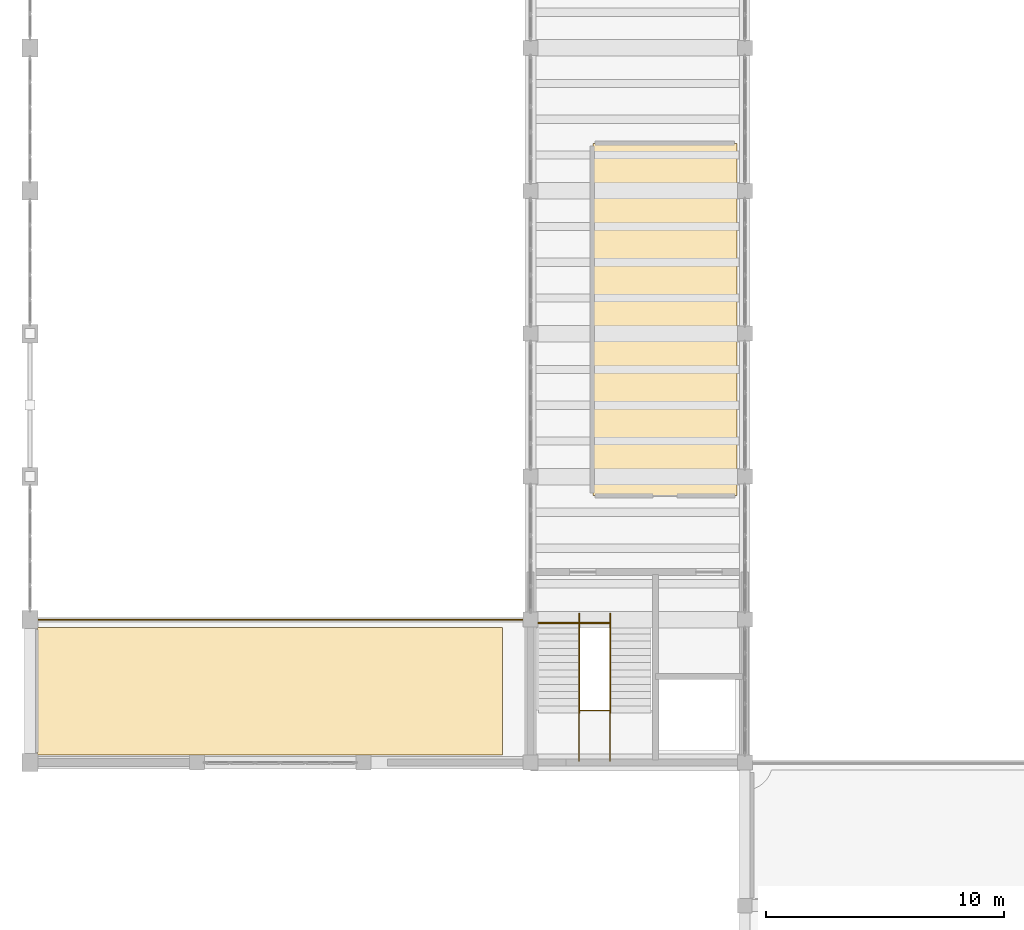
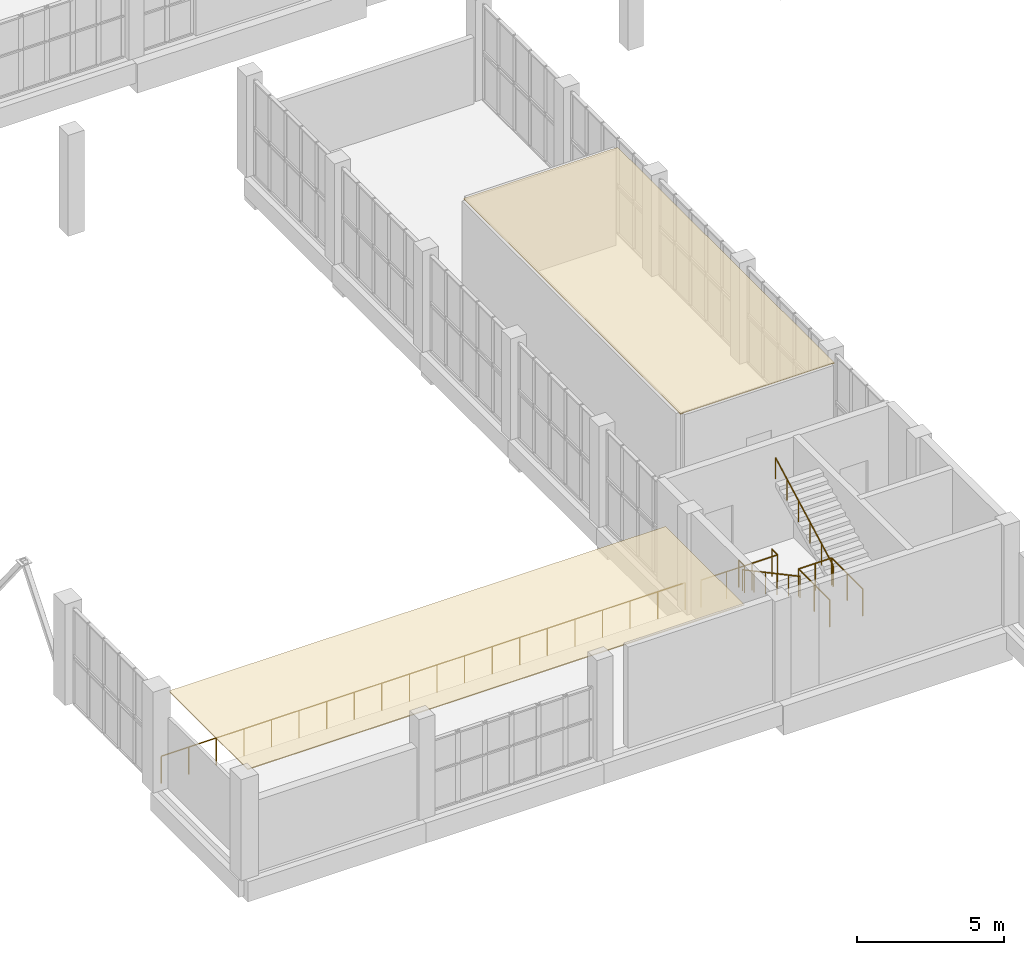
# One storey, part 76 of 85: 6 railings, 2 coverings.
"""IFC4 building model written with IfcOpenShell, lengths in metres."""

from ifc_helpers import new_model, si_unit, direction, frame, origin, origin_2d, place, context, subcontext, project, spatial, polyline, circle, outline, extrude, material, layer, layer_set, type_object, element, save


model = new_model("IFC4")

# Units and contexts
model_context = context("Model", 3, precision=1e-05, world=origin(), true_north=direction((0.0, 1.0)))
body_context = subcontext(model_context, "Body", "Model", "MODEL_VIEW")
ifc_project = project(units=[si_unit("LENGTHUNIT", "METRE"), si_unit("AREAUNIT", "SQUARE_METRE"), si_unit("VOLUMEUNIT", "CUBIC_METRE"), si_unit("PLANEANGLEUNIT", "RADIAN"), si_unit("MASSUNIT", "GRAM", prefix="KILO")], contexts=[model_context])

# Site, building, storey
site_placement = place(None, origin())
site = spatial("IfcSite", under=ifc_project, at=site_placement, CompositionType="ELEMENT")
building_placement = place(site_placement, origin())
building = spatial("IfcBuilding", under=site, at=building_placement, Name="Solvane Community Centre", CompositionType="ELEMENT")
storey_placement = place(building_placement, frame((0.0, 0.0, 5.39990234375)))
storey = spatial("IfcBuildingStorey", under=building, at=storey_placement, Name="L01", CompositionType="ELEMENT", Elevation=5.39990234375)

# Coverings
ifc_material_1 = material(Name="Acoustic timber slat ceiling", Category="wood")
ifc_layer = layer(ifc_material_1, 0.0400390625)
ifc_layer_set = layer_set([ifc_layer], Name="Acoustic timber slat ceiling")
covering_type = type_object("IfcCoveringType", Name="Acoustic Timber Slat Suspended Ceiling", PredefinedType="CEILING", material=ifc_layer_set)
covering_1_placement = place(storey_placement, frame((0.0, 0.0, 3.955078125)))
element("IfcCovering", 1, at=covering_1_placement, inside=storey, type_object=covering_type, Name="Acoustic Ceiling L01-01", PredefinedType="CEILING", context=body_context, shape_type="SweptSolid", body=[
    extrude(outline(polyline([(6.320068359375, 42.320068359375), (6.320068359375, 47.679931640625), (25.840087890625, 47.679931640625), (25.840087890625, 42.320068359375), (6.320068359375, 42.320068359375)])), origin(), (0.0, 0.0, 1.0), 0.0400390625),
])
covering_2_placement = place(storey_placement, frame((0.0, 0.0, 3.955078125)))
element("IfcCovering", 2, at=covering_2_placement, inside=storey, type_object=covering_type, Name="Acoustic Ceiling L01-03", PredefinedType="CEILING", context=body_context, shape_type="SweptSolid", body=[
    extrude(outline(polyline([(29.6201171875, 53.219970703125), (29.6201171875, 67.97998046875), (35.679931640625, 67.97998046875), (35.679931640625, 53.219970703125), (29.6201171875, 53.219970703125)])), origin(), (0.0, 0.0, 1.0), 0.0400390625),
])

# Railings
ifc_material_2 = material(Name="Anodised bronze aluminium AW-6063 T6", Category="aluminium")
railing_type_1 = type_object("IfcRailingType", Name="Interior Gallery & Stair Well Guard 1150mm", PredefinedType="BALUSTRADE", material=ifc_material_2)
railing_1_placement = place(storey_placement, frame((29.050048828125, 42.06005859375, 2.10009765625)))
element("IfcRailing", 3, at=railing_1_placement, inside=storey, type_object=railing_type_1, Name="Railing GR-L01-082", PredefinedType="BALUSTRADE", context=body_context, shape_type="SweptSolid", body=[
    extrude(circle(Radius=0.02392578125, at=origin_2d()), frame((0.0, 0.0, 1.1259765625), z_axis=(0.0, 1.0, 0.0), x_axis=(-1.0, 0.0, 0.0)), (0.0, 0.0, 1.0), 2.119873046875),
    extrude(circle(Radius=0.02392578125, at=origin_2d()), frame((0.0, 2.119873046875, 1.1259765625), z_axis=(1.0, 0.0, 0.0), x_axis=(0.0, 1.0, 0.0)), (0.0, 0.0, 1.0), 1.300048828125),
    extrude(circle(Radius=0.02392578125, at=origin_2d()), frame((1.300048828125, 2.119873046875, 1.1259765625), z_axis=(0.0, -1.0, 0.0), x_axis=(1.0, 0.0, 0.0)), (0.0, 0.0, 1.0), 2.119873046875),
    extrude(circle(Radius=0.02099609375, at=origin_2d()), origin(), (0.0, 0.0, 1.0), 1.101806640625),
    extrude(circle(Radius=0.02099609375, at=origin_2d()), frame((0.0, 1.06005859375, 0.0)), (0.0, 0.0, 1.0), 1.101806640625),
    extrude(circle(Radius=0.02099609375, at=origin_2d()), frame((0.0, 2.119873046875, 0.0)), (0.0, 0.0, 1.0), 1.101806640625),
    extrude(circle(Radius=0.02099609375, at=origin_2d()), frame((0.64990234375, 2.119873046875, 0.0)), (0.0, 0.0, 1.0), 1.101806640625),
    extrude(circle(Radius=0.02099609375, at=origin_2d()), frame((1.300048828125, 2.119873046875, 0.0)), (0.0, 0.0, 1.0), 1.101806640625),
    extrude(circle(Radius=0.02099609375, at=origin_2d()), frame((1.300048828125, 1.06005859375, 0.0)), (0.0, 0.0, 1.0), 1.101806640625),
    extrude(circle(Radius=0.02099609375, at=origin_2d()), frame((1.300048828125, 0.0, 0.0)), (0.0, 0.0, 1.0), 1.101806640625),
])
railing_2_placement = place(storey_placement, frame((27.340087890625, 47.860107421875, 0.0)))
element("IfcRailing", 4, at=railing_2_placement, inside=storey, type_object=railing_type_1, Name="Railing GR-L01-083", PredefinedType="BALUSTRADE", context=body_context, shape_type="SweptSolid", body=[
    extrude(circle(Radius=0.02392578125, at=origin_2d()), frame((0.0, 0.0, 1.1259765625), z_axis=(1.0, 0.0, 0.0), x_axis=(0.0, 1.0, 0.0)), (0.0, 0.0, 1.0), 3.010009765625),
    extrude(circle(Radius=0.02392578125, at=origin_2d()), frame((3.010009765625, 0.0, 1.1259765625), z_axis=(0.0, 1.0, 0.0), x_axis=(-1.0, 0.0, 0.0)), (0.0, 0.0, 1.0), 0.389892578125),
    extrude(circle(Radius=0.02099609375, at=origin_2d()), origin(), (0.0, 0.0, 1.0), 1.101806640625),
    extrude(circle(Radius=0.02099609375, at=origin_2d()), frame((1.00341796875, 0.0, 0.0)), (0.0, 0.0, 1.0), 1.101806640625),
    extrude(circle(Radius=0.02099609375, at=origin_2d()), frame((2.006591796875, 0.0, 0.0)), (0.0, 0.0, 1.0), 1.101806640625),
    extrude(circle(Radius=0.02099609375, at=origin_2d()), frame((3.010009765625, 0.0, 0.0)), (0.0, 0.0, 1.0), 1.101806640625),
    extrude(circle(Radius=0.02099609375, at=origin_2d()), frame((3.010009765625, 0.389892578125, 0.0)), (0.0, 0.0, 1.0), 1.101806640625),
])
railing_3_placement = place(storey_placement, frame((29.050048828125, 48.25, 0.0)))
element("IfcRailing", 5, at=railing_3_placement, inside=storey, type_object=railing_type_1, Name="Railing GR-L01-084", PredefinedType="BALUSTRADE", context=body_context, shape_type="SweptSolid", body=[
    extrude(circle(Radius=0.02392578125, at=origin_2d()), frame((0.0, 0.0, 1.1259765625), z_axis=(0.0, -1.0, 0.0), x_axis=(1.0, 0.0, 0.0)), (0.0, 0.0, 1.0), 0.389892578125),
    extrude(circle(Radius=0.02099609375, at=origin_2d()), origin(), (0.0, 0.0, 1.0), 1.101806640625),
    extrude(circle(Radius=0.02099609375, at=origin_2d()), frame((0.0, -0.389892578125, 0.0)), (0.0, 0.0, 1.0), 1.101806640625),
])
railing_4_placement = place(storey_placement, frame((6.199951171875, 48.0, 0.0)))
element("IfcRailing", 6, at=railing_4_placement, inside=storey, type_object=railing_type_1, Name="Railing GR-L01-137", PredefinedType="BALUSTRADE", context=body_context, shape_type="SweptSolid", body=[
    extrude(circle(Radius=0.02392578125, at=origin_2d()), frame((0.0, 0.0, 1.1259765625), z_axis=(1.0, 0.0, 0.0), x_axis=(0.0, 1.0, 0.0)), (0.0, 0.0, 1.0), 20.60009765625),
    extrude(circle(Radius=0.02099609375, at=origin_2d()), origin(), (0.0, 0.0, 1.0), 1.101806640625),
    extrude(circle(Radius=0.02099609375, at=origin_2d()), frame((1.084228515625, 0.0, 0.0)), (0.0, 0.0, 1.0), 1.101806640625),
    extrude(circle(Radius=0.02099609375, at=origin_2d()), frame((2.16845703125, 0.0, 0.0)), (0.0, 0.0, 1.0), 1.101806640625),
    extrude(circle(Radius=0.02099609375, at=origin_2d()), frame((3.252685546875, 0.0, 0.0)), (0.0, 0.0, 1.0), 1.101806640625),
    extrude(circle(Radius=0.02099609375, at=origin_2d()), frame((4.3369140625, 0.0, 0.0)), (0.0, 0.0, 1.0), 1.101806640625),
    extrude(circle(Radius=0.02099609375, at=origin_2d()), frame((5.421142578125, 0.0, 0.0)), (0.0, 0.0, 1.0), 1.101806640625),
    extrude(circle(Radius=0.02099609375, at=origin_2d()), frame((6.50537109375, 0.0, 0.0)), (0.0, 0.0, 1.0), 1.101806640625),
    extrude(circle(Radius=0.02099609375, at=origin_2d()), frame((7.589599609375, 0.0, 0.0)), (0.0, 0.0, 1.0), 1.101806640625),
    extrude(circle(Radius=0.02099609375, at=origin_2d()), frame((8.673828125, 0.0, 0.0)), (0.0, 0.0, 1.0), 1.101806640625),
    extrude(circle(Radius=0.02099609375, at=origin_2d()), frame((9.758056640625, 0.0, 0.0)), (0.0, 0.0, 1.0), 1.101806640625),
    extrude(circle(Radius=0.02099609375, at=origin_2d()), frame((10.842041015625, 0.0, 0.0)), (0.0, 0.0, 1.0), 1.101806640625),
    extrude(circle(Radius=0.02099609375, at=origin_2d()), frame((11.92626953125, 0.0, 0.0)), (0.0, 0.0, 1.0), 1.101806640625),
    extrude(circle(Radius=0.02099609375, at=origin_2d()), frame((13.010498046875, 0.0, 0.0)), (0.0, 0.0, 1.0), 1.101806640625),
    extrude(circle(Radius=0.02099609375, at=origin_2d()), frame((14.0947265625, 0.0, 0.0)), (0.0, 0.0, 1.0), 1.101806640625),
    extrude(circle(Radius=0.02099609375, at=origin_2d()), frame((15.178955078125, 0.0, 0.0)), (0.0, 0.0, 1.0), 1.101806640625),
    extrude(circle(Radius=0.02099609375, at=origin_2d()), frame((16.26318359375, 0.0, 0.0)), (0.0, 0.0, 1.0), 1.101806640625),
    extrude(circle(Radius=0.02099609375, at=origin_2d()), frame((17.347412109375, 0.0, 0.0)), (0.0, 0.0, 1.0), 1.101806640625),
    extrude(circle(Radius=0.02099609375, at=origin_2d()), frame((18.431640625, 0.0, 0.0)), (0.0, 0.0, 1.0), 1.101806640625),
    extrude(circle(Radius=0.02099609375, at=origin_2d()), frame((19.515869140625, 0.0, 0.0)), (0.0, 0.0, 1.0), 1.101806640625),
    extrude(circle(Radius=0.02099609375, at=origin_2d()), frame((20.60009765625, 0.0, 0.0)), (0.0, 0.0, 1.0), 1.101806640625),
])
railing_type_2 = type_object("IfcRailingType", Name="Stair Pitch Handrail 900mm", PredefinedType="HANDRAIL", material=ifc_material_2)
railing_5_placement = place(storey_placement, frame((29.050048828125, 48.0, 0.0)))
element("IfcRailing", 7, at=railing_5_placement, inside=storey, type_object=railing_type_2, Name="Railing HR-L01-080", PredefinedType="HANDRAIL", context=body_context, shape_type="SweptSolid", body=[
    extrude(circle(Radius=0.02392578125, at=origin_2d()), frame((0.0, 0.0, 0.8759765625), z_axis=(0.0, -0.881466911329, 0.472245787945), x_axis=(1.0, 0.0, 0.0)), (0.0, 0.0, 1.0), 4.447021484375),
    extrude(circle(Radius=0.02099609375, at=origin_2d()), origin(), (0.0, 0.0, 1.0), 0.851806640625),
    extrude(circle(Radius=0.02099609375, at=origin_2d()), frame((0.0, -0.783935546875, 0.419921875)), (0.0, 0.0, 1.0), 0.851806640625),
    extrude(circle(Radius=0.02099609375, at=origin_2d()), frame((0.0, -1.56787109375, 0.840087890625)), (0.0, 0.0, 1.0), 0.851806640625),
    extrude(circle(Radius=0.02099609375, at=origin_2d()), frame((0.0, -2.35205078125, 1.260009765625)), (0.0, 0.0, 1.0), 0.851806640625),
    extrude(circle(Radius=0.02099609375, at=origin_2d()), frame((0.0, -3.135986328125, 1.68017578125)), (0.0, 0.0, 1.0), 0.851806640625),
    extrude(circle(Radius=0.02099609375, at=origin_2d()), frame((0.0, -3.919921875, 2.10009765625)), (0.0, 0.0, 1.0), 0.851806640625),
])
railing_6_placement = place(storey_placement, frame((30.35009765625, 44.080078125, 2.10009765625)))
element("IfcRailing", 8, at=railing_6_placement, inside=storey, type_object=railing_type_2, Name="Railing HR-L01-081", PredefinedType="HANDRAIL", context=body_context, shape_type="SweptSolid", body=[
    extrude(circle(Radius=0.02392578125, at=origin_2d()), frame((0.0, 0.0, 0.8759765625), z_axis=(0.0, 0.881466911329, 0.472245787945), x_axis=(-1.0, 0.0, 0.0)), (0.0, 0.0, 1.0), 4.447021484375),
    extrude(circle(Radius=0.02099609375, at=origin_2d()), origin(), (0.0, 0.0, 1.0), 0.851806640625),
    extrude(circle(Radius=0.02099609375, at=origin_2d()), frame((0.0, 0.783935546875, 0.419921875)), (0.0, 0.0, 1.0), 0.851806640625),
    extrude(circle(Radius=0.02099609375, at=origin_2d()), frame((0.0, 1.56787109375, 0.840087890625)), (0.0, 0.0, 1.0), 0.851806640625),
    extrude(circle(Radius=0.02099609375, at=origin_2d()), frame((0.0, 2.35205078125, 1.260009765625)), (0.0, 0.0, 1.0), 0.851806640625),
    extrude(circle(Radius=0.02099609375, at=origin_2d()), frame((0.0, 3.135986328125, 1.68017578125)), (0.0, 0.0, 1.0), 0.851806640625),
    extrude(circle(Radius=0.02099609375, at=origin_2d()), frame((0.0, 3.919921875, 2.10009765625)), (0.0, 0.0, 1.0), 0.851806640625),
])

save(model, "model.ifc")
